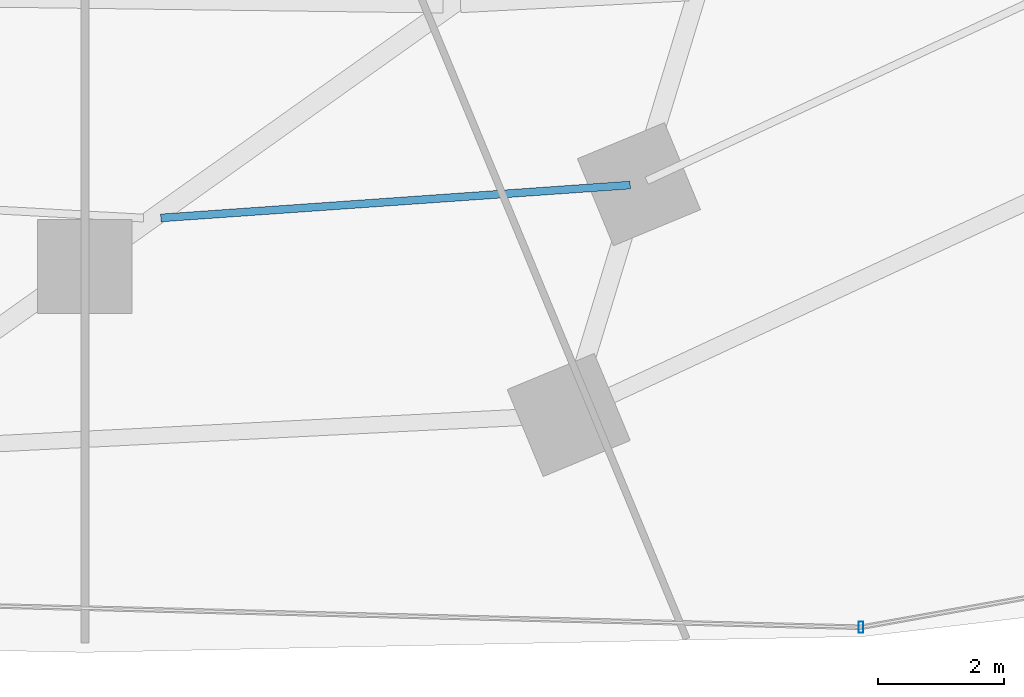
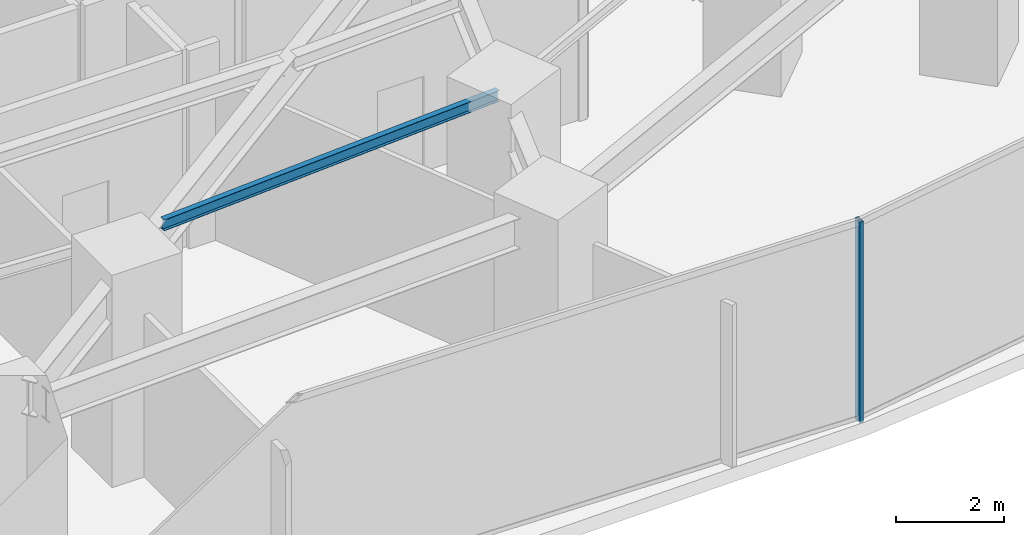
# One storey, part 8 of 27: 1 beam, 1 member, 1 element without a shape of its own.
"""IFC4 building model written with IfcOpenShell, lengths in metres."""

import ifcopenshell
import ifcopenshell.guid

model = None  # the IFC model being written
_history = None  # IfcOwnerHistory: only IFC2X3 demands one
_inside = {}  # id of a spatial element -> (the spatial element, [elements in it])
_under = {}  # id of a project, library or spatial element -> (it, [spatial elements below it])
_declared = {}  # id of a project -> (the project, [libraries it declares])
_typed = {}  # id of a type object -> (the type object, [elements of that type])
_made_of = {}  # id of a material, layer set ... -> (it, [elements and type objects made of it])


def new_model(schema):
    """Start an empty IFC model of exactly this schema.

    Asked for "IFC4X3", IfcOpenShell would pick the latest addendum, in which some entities
    have other attributes; the version numbers below select the first issue.
    IFC2X3 requires an IfcOwnerHistory on every rooted entity: one is made here for all.
    """
    global model, _history
    if schema == "IFC4X3":
        model = ifcopenshell.file(schema_version=(4, 3, 0, 0))
    else:
        model = ifcopenshell.file(schema=schema)
    _inside.clear()
    _under.clear()
    _declared.clear()
    _typed.clear()
    _made_of.clear()
    _history = None
    if model.schema == "IFC2X3":
        org = make("IfcOrganization", Name="unknown")
        user = make(
            "IfcPersonAndOrganization",
            ThePerson=make("IfcPerson", FamilyName="unknown"),
            TheOrganization=org,
        )
        app = make(
            "IfcApplication",
            ApplicationDeveloper=org,
            Version="unknown",
            ApplicationFullName="unknown",
            ApplicationIdentifier="unknown",
        )
        _history = make(
            "IfcOwnerHistory",
            OwningUser=user,
            OwningApplication=app,
            ChangeAction="ADDED",
            CreationDate=0,
        )
    return model


def make(cls, **values):
    """One entity of the class cls with the attributes given. An attribute that is None is left unset."""
    return model.create_entity(
        cls, **{name: value for name, value in values.items() if value is not None}
    )


def rooted(cls, **values):
    """An entity with a GlobalId (a new one), such as an element, a storey or a relation."""
    return make(cls, GlobalId=ifcopenshell.guid.new(), OwnerHistory=_history, **values)


def si_unit(unit_type, name, prefix=None):
    """IfcSIUnit, for example si_unit("LENGTHUNIT", "METRE", prefix="MILLI")."""
    return make("IfcSIUnit", UnitType=unit_type, Prefix=prefix, Name=name)


def assignment(units):
    """IfcUnitAssignment: the units of a project."""
    return None if units is None else make("IfcUnitAssignment", Units=units)


def point(xyz):
    """IfcCartesianPoint."""
    return None if xyz is None else make("IfcCartesianPoint", Coordinates=xyz)


def direction(xyz):
    """IfcDirection."""
    return None if xyz is None else make("IfcDirection", DirectionRatios=xyz)


def frame(location, z_axis=None, x_axis=None):
    """IfcAxis2Placement3D, a coordinate frame: its origin and axes. An axis left out is left unset."""
    return make(
        "IfcAxis2Placement3D",
        Location=point(location),
        Axis=direction(z_axis),
        RefDirection=direction(x_axis),
    )


def frame_2d(location, x_axis=None):
    """IfcAxis2Placement2D, a coordinate frame in the plane: its origin and x axis."""
    return make(
        "IfcAxis2Placement2D", Location=point(location), RefDirection=direction(x_axis)
    )


def origin():
    """The frame at (0, 0, 0) with its axes left unset."""
    return frame((0.0, 0.0, 0.0))


def origin_2d():
    """The frame at (0, 0) in the plane with its x axis left unset."""
    return frame_2d((0.0, 0.0))


def place(relative_to, where):
    """IfcLocalPlacement: puts the frame where relative to a parent placement (None: the world)."""
    return make(
        "IfcLocalPlacement", PlacementRelTo=relative_to, RelativePlacement=where
    )


def context(
    kind, dimensions, precision=None, world=None, true_north=None, identifier=None
):
    """IfcGeometricRepresentationContext, for example the 3D "Model" context."""
    return make(
        "IfcGeometricRepresentationContext",
        ContextIdentifier=identifier,
        ContextType=kind,
        CoordinateSpaceDimension=dimensions,
        Precision=precision,
        WorldCoordinateSystem=world,
        TrueNorth=true_north,
    )


def subcontext(parent, identifier, kind, view, scale=None):
    """IfcGeometricRepresentationSubContext, for example "Body" below "Model"."""
    return make(
        "IfcGeometricRepresentationSubContext",
        ContextIdentifier=identifier,
        ContextType=kind,
        ParentContext=parent,
        TargetScale=scale,
        TargetView=view,
    )


def project(units=None, contexts=None):
    """IfcProject with its units and contexts."""
    return rooted(
        "IfcProject",
        Name="project",
        RepresentationContexts=contexts,
        UnitsInContext=assignment(units),
    )


def spatial(cls, under=None, at=None, **own):
    """A site, building, storey or space (cls), placed at a placement, below another one or the project."""
    s = rooted(cls, ObjectPlacement=at, **own)
    if under is not None:
        _under.setdefault(under.id(), (under, []))[1].append(s)
    return s


def profile(cls, at=None, kind="AREA", **sizes):
    """A parametric profile (cls). Its sizes go by their IFC names, for example OverallWidth=200.0."""
    return make(cls, ProfileType=kind, Position=at, **sizes)


def hollow_rectangle(**sizes):
    """IfcRectangleHollowProfileDef."""
    return profile("IfcRectangleHollowProfileDef", **sizes)


def i_section(**sizes):
    """IfcIShapeProfileDef."""
    return profile("IfcIShapeProfileDef", **sizes)


def extrude(swept, where, along, depth):
    """IfcExtrudedAreaSolid: the profile swept, set in the frame where, extruded along a direction by depth."""
    return make(
        "IfcExtrudedAreaSolid",
        SweptArea=swept,
        Position=where,
        ExtrudedDirection=direction(along),
        Depth=depth,
    )


def shape(context_of_items, identifier, shape_type, items):
    """IfcShapeRepresentation: the items that make up one representation, for example the "Body"."""
    return make(
        "IfcShapeRepresentation",
        ContextOfItems=context_of_items,
        RepresentationIdentifier=identifier,
        RepresentationType=shape_type,
        Items=items,
    )


def material(Name=None, Category=None):
    """IfcMaterial."""
    return make("IfcMaterial", Name=Name, Category=Category)


def material_profile(
    of_material, cross_section, Name=None, Category=None, Priority=None
):
    """IfcMaterialProfile: a cross section and its material."""
    return make(
        "IfcMaterialProfile",
        Name=Name,
        Material=of_material,
        Profile=cross_section,
        Priority=Priority,
        Category=Category,
    )


def profile_set(profiles, Name=None, composite=None):
    """IfcMaterialProfileSet."""
    return make(
        "IfcMaterialProfileSet",
        Name=Name,
        MaterialProfiles=profiles,
        CompositeProfile=composite,
    )


def made_of(thing, what):
    """Note that an element or type object is made of a material, layer set ...; save() writes the relation."""
    if what is not None:
        _made_of.setdefault(what.id(), (what, []))[1].append(thing)
    return thing


def type_object(cls, material=None, **own):
    """A type object (cls), such as IfcWallType, which elements share."""
    return made_of(rooted(cls, **own), material)


def element(
    cls,
    number,
    at=None,
    inside=None,
    cuts=None,
    type_object=None,
    material=None,
    context=None,
    identifier="Body",
    shape_type=None,
    held_by="IfcProductDefinitionShape",
    body=None,
    shapes=None,
    **own,
):
    """One element of the class cls, such as IfcWall. Its Tag is "e" and its number.

    at: its placement. inside: the storey or other place that contains it. cuts: it is an
    opening in that element (IfcRelVoidsElement). A single representation is given by context,
    identifier, shape_type and body (its items); several are given by shapes. held_by: the class
    of the entity that holds the representations. save() writes the other relations.
    """
    e = rooted(cls, Tag="e%d" % number, ObjectPlacement=at, **own)
    if body is not None:
        shapes = [shape(context, identifier, shape_type, body)]
    if shapes is not None:
        e.Representation = make(held_by, Representations=shapes)
    if inside is not None:
        _inside.setdefault(inside.id(), (inside, []))[1].append(e)
    if cuts is not None:
        rooted(
            "IfcRelVoidsElement", RelatingBuildingElement=cuts, RelatedOpeningElement=e
        )
    if type_object is not None:
        _typed.setdefault(type_object.id(), (type_object, []))[1].append(e)
    return made_of(e, material)


def aggregate(whole, parts):
    """IfcRelAggregates: a whole, such as a stair, and the parts it consists of."""
    return rooted("IfcRelAggregates", RelatingObject=whole, RelatedObjects=parts)


def save(model, path):
    """Write the relations noted so far, then the file.

    IfcRelAggregates (storeys below a building ...), IfcRelContainedInSpatialStructure (elements
    in a storey), IfcRelDefinesByType, IfcRelAssociatesMaterial and IfcRelDeclares: one each for
    every whole, place, type object, material and project.
    """
    for whole, parts in _under.values():
        aggregate(whole, parts)
    for where, things in _inside.values():
        rooted(
            "IfcRelContainedInSpatialStructure",
            RelatedElements=things,
            RelatingStructure=where,
        )
    for kind, things in _typed.values():
        rooted("IfcRelDefinesByType", RelatedObjects=things, RelatingType=kind)
    for what, things in _made_of.values():
        rooted("IfcRelAssociatesMaterial", RelatedObjects=things, RelatingMaterial=what)
    for by, libraries in _declared.values():
        rooted("IfcRelDeclares", RelatingContext=by, RelatedDefinitions=libraries)
    model.write(path)


model = new_model("IFC4")

# Units and contexts
model_context = context("Model", 3, precision=1e-05, world=origin(), true_north=direction((0.0, 1.0)))
body_context = subcontext(model_context, "Body", "Model", "MODEL_VIEW")
ifc_project = project(units=[si_unit("LENGTHUNIT", "METRE"), si_unit("AREAUNIT", "SQUARE_METRE"), si_unit("VOLUMEUNIT", "CUBIC_METRE"), si_unit("PLANEANGLEUNIT", "RADIAN"), si_unit("MASSUNIT", "GRAM", prefix="KILO")], contexts=[model_context])

# Site, building, storey
site_placement = place(None, origin())
site = spatial("IfcSite", under=ifc_project, at=site_placement, CompositionType="ELEMENT")
building_placement = place(site_placement, origin())
building = spatial("IfcBuilding", under=site, at=building_placement, Name="Vorneva Point Tower", CompositionType="ELEMENT")
storey_placement = place(building_placement, frame((0.0, 0.0, 4.800048828125)))
storey = spatial("IfcBuildingStorey", under=building, at=storey_placement, Name="L01", CompositionType="ELEMENT", Elevation=4.800048828125)

# Beam
ifc_material_1 = material(Name="Steel S355", Category="steel")
ifc_material_profile_1 = material_profile(ifc_material_1, i_section(OverallWidth=0.1240234375, OverallDepth=0.248046875, WebThickness=0.0048828125, FlangeThickness=0.008056640625, at=origin_2d()), Name="25B1")
ifc_profile_set_1 = profile_set([ifc_material_profile_1], Name="Steel S355")
beam_type = type_object("IfcBeamType", Name="BM-JST-25B1", PredefinedType="JOIST", material=ifc_profile_set_1)
beam_placement = place(storey_placement, frame((39.209716796875, 9.572509765625, 4.35595703125), z_axis=(0.997553265271, 0.069910535303, 0.0), x_axis=(-0.069910535303, 0.997553265271, 0.0)))
element("IfcBeam", 1, at=beam_placement, inside=storey, type_object=beam_type, Name="L01 Secondary Floor Beam 1.13", PredefinedType="JOIST", context=body_context, shape_type="SweptSolid", body=[
    extrude(i_section(OverallWidth=0.1240234375, OverallDepth=0.248046875, WebThickness=0.0048828125, FlangeThickness=0.008056640625, at=origin_2d()), origin(), (0.0, 0.0, 1.0), 7.49072265625),
])

# Curtain wall, member
ifc_material_2 = material(Name="Pale anodised aluminium", Category="aluminium")
curtain_wall_type = type_object("IfcCurtainWallType", Name="CW-POD-SYS", PredefinedType="NOTDEFINED", material=ifc_material_2)
curtain_wall_placement = place(storey_placement, origin())
curtain_wall = element("IfcCurtainWall", 2, at=curtain_wall_placement, inside=storey, type_object=curtain_wall_type, Name="L01 Unitised Curtain Wall CW-L01-R04", PredefinedType="NOTDEFINED")
ifc_material_profile_2 = material_profile(ifc_material_2, hollow_rectangle(XDim=0.074951171875, YDim=0.179931640625, WallThickness=0.00390625, at=origin_2d()), Name="AL-MUL 180x75x4")
ifc_profile_set_2 = profile_set([ifc_material_profile_2], Name="Pale anodised aluminium")
member_type = type_object("IfcMemberType", Name="CW-MUL-180", PredefinedType="MULLION", material=ifc_profile_set_2)
member_placement = place(storey_placement, frame((50.357177734375, 3.056396484375, -0.0400390625), z_axis=(0.0, 0.0, 1.0), x_axis=(1.0, 0.0, 0.0)))
member = element("IfcMember", 3, at=member_placement, type_object=member_type, Name="CW-L01-R04 Mullion 02", PredefinedType="MULLION", context=body_context, shape_type="SweptSolid", body=[
    extrude(hollow_rectangle(XDim=0.074951171875, YDim=0.179931640625, WallThickness=0.00390625, at=origin_2d()), origin(), (0.0, 0.0, 1.0), 4.550048828125),
])
aggregate(curtain_wall, [member])

save(model, "model.ifc")
